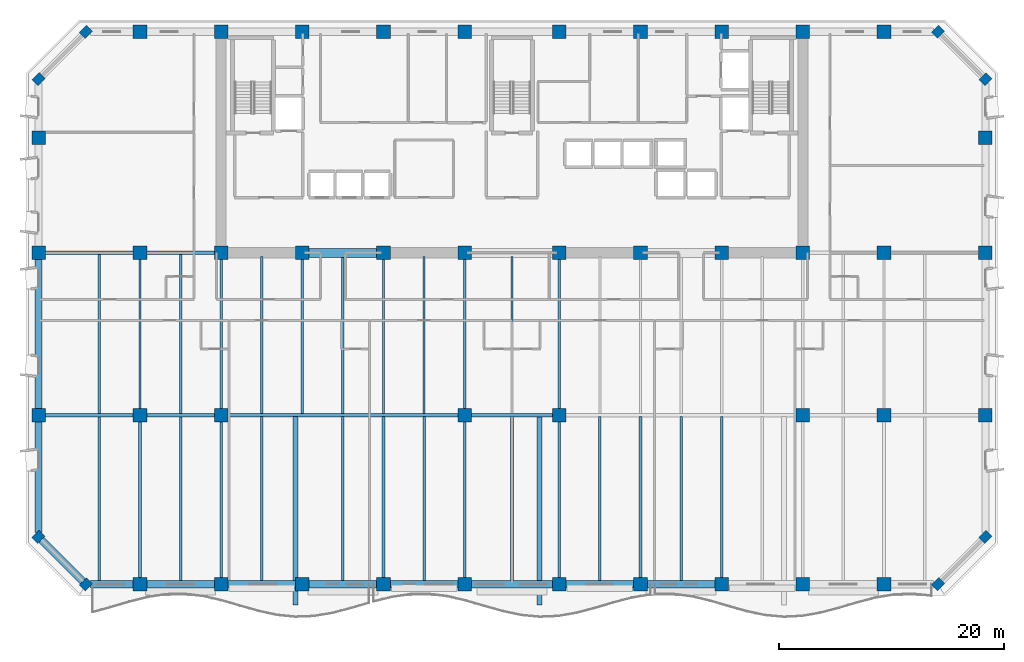
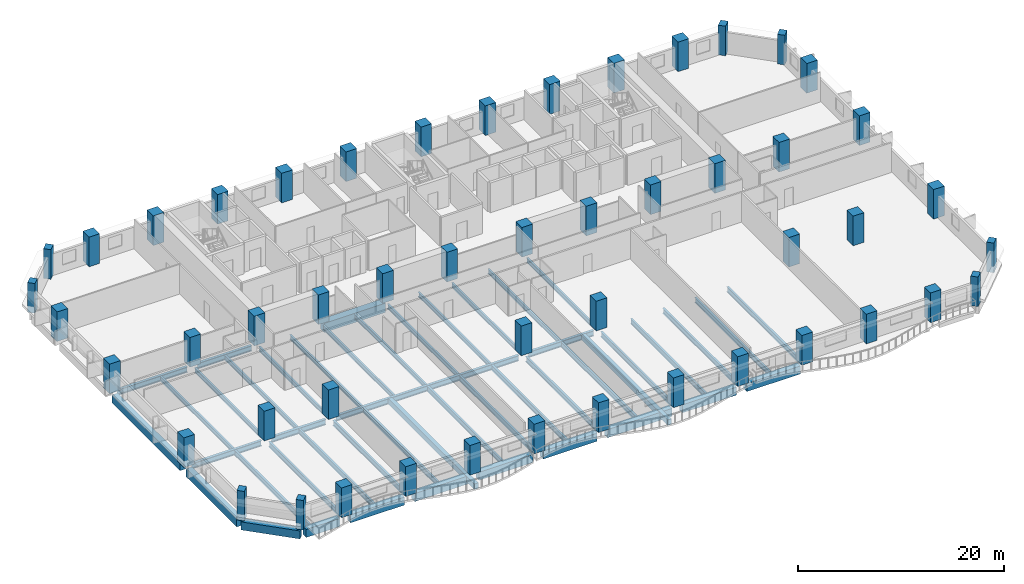
# One storey, part 1 of 15: 50 columns, 47 beams.
"""IFC4 building model written with IfcOpenShell, lengths in metres."""

from ifc_helpers import new_model, si_unit, direction, frame, origin, origin_2d, place, context, subcontext, project, spatial, rectangle, i_section, extrude, material, material_profile, profile_set, type_object, element, save


model = new_model("IFC4")

# Units and contexts
model_context = context("Model", 3, precision=1e-05, world=origin(), true_north=direction((0.0, 1.0)))
body_context = subcontext(model_context, "Body", "Model", "MODEL_VIEW")
ifc_project = project(units=[si_unit("LENGTHUNIT", "METRE"), si_unit("AREAUNIT", "SQUARE_METRE"), si_unit("VOLUMEUNIT", "CUBIC_METRE"), si_unit("PLANEANGLEUNIT", "RADIAN"), si_unit("MASSUNIT", "GRAM", prefix="KILO")], contexts=[model_context])

# Site, building, storey
site_placement = place(None, origin())
site = spatial("IfcSite", under=ifc_project, at=site_placement, CompositionType="ELEMENT")
building_placement = place(site_placement, origin())
building = spatial("IfcBuilding", under=site, at=building_placement, Name="Kaelvorn Grand Hotel", CompositionType="ELEMENT")
storey_placement = place(building_placement, frame((0.0, 0.0, 108.050048828125)))
storey = spatial("IfcBuildingStorey", under=building, at=storey_placement, Name="L25", CompositionType="ELEMENT", Elevation=108.050048828125)

# Columns
ifc_material_1 = material(Name="Concrete C60/75", Category="concrete")
ifc_material_profile_1 = material_profile(ifc_material_1, rectangle(XDim=0.89990234375, YDim=0.75, at=origin_2d()), Name="RC PILASTER 900x750")
ifc_profile_set_1 = profile_set([ifc_material_profile_1], Name="Concrete C60/75")
column_type_1 = type_object("IfcColumnType", Name="COL-PIL-900x750-C60", PredefinedType="PILASTER", material=ifc_profile_set_1)
for number, where, z_axis, x_axis, name in (
    (1, (4.199951171875, 0.0, 0.0), (0.0, 0.0, 1.0), (0.707106781187, 0.707106781187, 0.0), "L25 Structural Column CH-01"),
    (2, (79.800048828125, 0.0, 0.0), (0.0, 0.0, 1.0), (0.707106781187, 0.707106781187, 0.0), "L25 Structural Column CH-02"),
    (3, (84.0, 4.199951171875, 0.0), (0.0, 0.0, 1.0), (0.707106781187, 0.707106781187, 0.0), "L25 Structural Column CH-03"),
    (4, (84.0, 44.800048828125, 0.0), (0.0, 0.0, 1.0), (0.707106781187, 0.707106781187, 0.0), "L25 Structural Column CH-04"),
    (5, (79.800048828125, 49.0, 0.0), (0.0, 0.0, 1.0), (0.707106781187, 0.707106781187, 0.0), "L25 Structural Column CH-05"),
    (6, (4.199951171875, 49.0, 0.0), (0.0, 0.0, 1.0), (0.707106781187, 0.707106781187, 0.0), "L25 Structural Column CH-06"),
    (7, (0.0, 44.800048828125, 0.0), (0.0, 0.0, 1.0), (0.707106781187, 0.707106781187, 0.0), "L25 Structural Column CH-07"),
    (8, (0.0, 4.199951171875, 0.0), (0.0, 0.0, 1.0), (0.707106781187, 0.707106781187, 0.0), "L25 Structural Column CH-08"),
):
    element("IfcColumn", number, at=place(storey_placement, frame(where, z_axis=z_axis, x_axis=x_axis)), inside=storey, type_object=column_type_1, Name=name, PredefinedType="PILASTER", context=body_context, shape_type="SweptSolid", body=[
        extrude(rectangle(XDim=0.89990234375, YDim=0.75, at=origin_2d()), origin(), (0.0, 0.0, 1.0), 3.510009765625),
    ])
ifc_material_profile_2 = material_profile(ifc_material_1, rectangle(XDim=1.199951171875, YDim=1.199951171875, at=origin_2d()), Name="RC COL 1200x1200")
ifc_profile_set_2 = profile_set([ifc_material_profile_2], Name="Concrete C60/75")
column_type_2 = type_object("IfcColumnType", Name="COL-RC-1200-C60", PredefinedType="COLUMN", material=ifc_profile_set_2)
for number, where, z_axis, x_axis, name in (
    (9, (9.0, 0.0, 0.0), (0.0, 0.0, 1.0), (1.0, 0.0, 0.0), "L25 Structural Column S-01"),
    (10, (16.199951171875, 0.0, 0.0), (0.0, 0.0, 1.0), (1.0, 0.0, 0.0), "L25 Structural Column S-02"),
    (11, (23.39990234375, 0.0, 0.0), (0.0, 0.0, 1.0), (1.0, 0.0, 0.0), "L25 Structural Column S-03"),
    (12, (30.60009765625, 0.0, 0.0), (0.0, 0.0, 1.0), (1.0, 0.0, 0.0), "L25 Structural Column S-04"),
    (13, (37.800048828125, 0.0, 0.0), (0.0, 0.0, 1.0), (1.0, 0.0, 0.0), "L25 Structural Column S-05"),
    (14, (46.199951171875, 0.0, 0.0), (0.0, 0.0, 1.0), (1.0, 0.0, 0.0), "L25 Structural Column S-06"),
    (15, (53.39990234375, 0.0, 0.0), (0.0, 0.0, 1.0), (1.0, 0.0, 0.0), "L25 Structural Column S-07"),
    (16, (60.60009765625, 0.0, 0.0), (0.0, 0.0, 1.0), (1.0, 0.0, 0.0), "L25 Structural Column S-08"),
    (17, (67.800048828125, 0.0, 0.0), (0.0, 0.0, 1.0), (1.0, 0.0, 0.0), "L25 Structural Column S-09"),
    (18, (75.0, 0.0, 0.0), (0.0, 0.0, 1.0), (1.0, 0.0, 0.0), "L25 Structural Column S-10"),
    (19, (0.0, 15.0, 0.0), (0.0, 0.0, 1.0), (1.0, 0.0, 0.0), "L25 Structural Column W-01"),
    (20, (84.0, 15.0, 0.0), (0.0, 0.0, 1.0), (1.0, 0.0, 0.0), "L25 Structural Column E-01"),
    (21, (0.0, 29.39990234375, 0.0), (0.0, 0.0, 1.0), (1.0, 0.0, 0.0), "L25 Structural Column W-02"),
    (22, (84.0, 29.39990234375, 0.0), (0.0, 0.0, 1.0), (1.0, 0.0, 0.0), "L25 Structural Column E-02"),
    (23, (0.0, 39.60009765625, 0.0), (0.0, 0.0, 1.0), (1.0, 0.0, 0.0), "L25 Structural Column W-03"),
    (24, (84.0, 39.60009765625, 0.0), (0.0, 0.0, 1.0), (1.0, 0.0, 0.0), "L25 Structural Column E-03"),
    (25, (9.0, 15.0, 0.0), (0.0, 0.0, 1.0), (1.0, 0.0, 0.0), "L25 Structural Column M-01"),
    (26, (16.199951171875, 15.0, 0.0), (0.0, 0.0, 1.0), (1.0, 0.0, 0.0), "L25 Structural Column M-02"),
    (27, (37.800048828125, 15.0, 0.0), (0.0, 0.0, 1.0), (1.0, 0.0, 0.0), "L25 Structural Column M-03"),
    (28, (46.199951171875, 15.0, 0.0), (0.0, 0.0, 1.0), (1.0, 0.0, 0.0), "L25 Structural Column M-04"),
    (29, (67.800048828125, 15.0, 0.0), (0.0, 0.0, 1.0), (1.0, 0.0, 0.0), "L25 Structural Column M-05"),
    (30, (75.0, 15.0, 0.0), (0.0, 0.0, 1.0), (1.0, 0.0, 0.0), "L25 Structural Column M-06"),
    (31, (9.0, 29.39990234375, 0.0), (0.0, 0.0, 1.0), (1.0, 0.0, 0.0), "L25 Structural Column CR1-01"),
    (32, (9.0, 49.0, 0.0), (0.0, 0.0, 1.0), (1.0, 0.0, 0.0), "L25 Structural Column CR2-01"),
    (33, (16.199951171875, 29.39990234375, 0.0), (0.0, 0.0, 1.0), (1.0, 0.0, 0.0), "L25 Structural Column CR1-02"),
    (34, (16.199951171875, 49.0, 0.0), (0.0, 0.0, 1.0), (1.0, 0.0, 0.0), "L25 Structural Column CR2-02"),
    (35, (23.39990234375, 29.39990234375, 0.0), (0.0, 0.0, 1.0), (1.0, 0.0, 0.0), "L25 Structural Column CR1-03"),
    (36, (23.39990234375, 49.0, 0.0), (0.0, 0.0, 1.0), (1.0, 0.0, 0.0), "L25 Structural Column CR2-03"),
    (37, (30.60009765625, 29.39990234375, 0.0), (0.0, 0.0, 1.0), (1.0, 0.0, 0.0), "L25 Structural Column CR1-04"),
    (38, (30.60009765625, 49.0, 0.0), (0.0, 0.0, 1.0), (1.0, 0.0, 0.0), "L25 Structural Column CR2-04"),
    (39, (37.800048828125, 29.39990234375, 0.0), (0.0, 0.0, 1.0), (1.0, 0.0, 0.0), "L25 Structural Column CR1-05"),
    (40, (37.800048828125, 49.0, 0.0), (0.0, 0.0, 1.0), (1.0, 0.0, 0.0), "L25 Structural Column CR2-05"),
    (41, (46.199951171875, 29.39990234375, 0.0), (0.0, 0.0, 1.0), (1.0, 0.0, 0.0), "L25 Structural Column CR1-06"),
    (42, (46.199951171875, 49.0, 0.0), (0.0, 0.0, 1.0), (1.0, 0.0, 0.0), "L25 Structural Column CR2-06"),
    (43, (53.39990234375, 29.39990234375, 0.0), (0.0, 0.0, 1.0), (1.0, 0.0, 0.0), "L25 Structural Column CR1-07"),
    (44, (53.39990234375, 49.0, 0.0), (0.0, 0.0, 1.0), (1.0, 0.0, 0.0), "L25 Structural Column CR2-07"),
    (45, (60.60009765625, 29.39990234375, 0.0), (0.0, 0.0, 1.0), (1.0, 0.0, 0.0), "L25 Structural Column CR1-08"),
    (46, (60.60009765625, 49.0, 0.0), (0.0, 0.0, 1.0), (1.0, 0.0, 0.0), "L25 Structural Column CR2-08"),
    (47, (67.800048828125, 29.39990234375, 0.0), (0.0, 0.0, 1.0), (1.0, 0.0, 0.0), "L25 Structural Column CR1-09"),
    (48, (67.800048828125, 49.0, 0.0), (0.0, 0.0, 1.0), (1.0, 0.0, 0.0), "L25 Structural Column CR2-09"),
    (49, (75.0, 29.39990234375, 0.0), (0.0, 0.0, 1.0), (1.0, 0.0, 0.0), "L25 Structural Column CR1-10"),
    (50, (75.0, 49.0, 0.0), (0.0, 0.0, 1.0), (1.0, 0.0, 0.0), "L25 Structural Column CR2-10"),
):
    element("IfcColumn", number, at=place(storey_placement, frame(where, z_axis=z_axis, x_axis=x_axis)), inside=storey, type_object=column_type_2, Name=name, PredefinedType="COLUMN", context=body_context, shape_type="SweptSolid", body=[
        extrude(rectangle(XDim=1.199951171875, YDim=1.199951171875, at=origin_2d()), origin(), (0.0, 0.0, 1.0), 3.510009765625),
    ])

# Beams
ifc_material_2 = material(Name="Steel S355", Category="steel")
ifc_material_profile_3 = material_profile(ifc_material_2, i_section(OverallWidth=0.300048828125, OverallDepth=0.64990234375, WebThickness=0.01611328125, FlangeThickness=0.031005859375, FilletRadius=0.027099609375, at=origin_2d()), Name="HEB 650")
ifc_profile_set_3 = profile_set([ifc_material_profile_3], Name="Steel S355")
beam_type_1 = type_object("IfcBeamType", Name="BM-G-HEB650-S355", PredefinedType="BEAM", material=ifc_profile_set_3)
beam_1_placement = place(storey_placement, frame((0.5849609375, 15.0, -0.56494140625), z_axis=(1.0, 0.0, 0.0), x_axis=(0.0, 1.0, 0.0)))
element("IfcBeam", 51, at=beam_1_placement, inside=storey, type_object=beam_type_1, Name="L25 Primary Spine Steel Girder G-15 01", PredefinedType="BEAM", context=body_context, shape_type="SweptSolid", body=[
    extrude(i_section(OverallWidth=0.300048828125, OverallDepth=0.64990234375, WebThickness=0.01611328125, FlangeThickness=0.031005859375, FilletRadius=0.027099609375, at=origin_2d()), origin(), (0.0, 0.0, 1.0), 7.830078125),
])
beam_2_placement = place(storey_placement, frame((9.5849609375, 15.0, -0.56494140625), z_axis=(1.0, 0.0, 0.0), x_axis=(0.0, 1.0, 0.0)))
element("IfcBeam", 52, at=beam_2_placement, inside=storey, type_object=beam_type_1, Name="L25 Primary Spine Steel Girder G-15 02", PredefinedType="BEAM", context=body_context, shape_type="SweptSolid", body=[
    extrude(i_section(OverallWidth=0.300048828125, OverallDepth=0.64990234375, WebThickness=0.01611328125, FlangeThickness=0.031005859375, FilletRadius=0.027099609375, at=origin_2d()), origin(), (0.0, 0.0, 1.0), 6.030029296875),
])
beam_3_placement = place(storey_placement, frame((16.784912109375, 15.0, -0.56494140625), z_axis=(1.0, 0.0, 0.0), x_axis=(0.0, 1.0, 0.0)))
element("IfcBeam", 53, at=beam_3_placement, inside=storey, type_object=beam_type_1, Name="L25 Primary Spine Steel Girder G-15 03", PredefinedType="BEAM", context=body_context, shape_type="SweptSolid", body=[
    extrude(i_section(OverallWidth=0.300048828125, OverallDepth=0.64990234375, WebThickness=0.01611328125, FlangeThickness=0.031005859375, FilletRadius=0.027099609375, at=origin_2d()), origin(), (0.0, 0.0, 1.0), 20.43017578125),
])
beam_4_placement = place(storey_placement, frame((38.385009765625, 15.0, -0.56494140625), z_axis=(1.0, 0.0, 0.0), x_axis=(0.0, 1.0, 0.0)))
element("IfcBeam", 54, at=beam_4_placement, inside=storey, type_object=beam_type_1, Name="L25 Primary Spine Steel Girder G-15 04", PredefinedType="BEAM", context=body_context, shape_type="SweptSolid", body=[
    extrude(i_section(OverallWidth=0.300048828125, OverallDepth=0.64990234375, WebThickness=0.01611328125, FlangeThickness=0.031005859375, FilletRadius=0.027099609375, at=origin_2d()), origin(), (0.0, 0.0, 1.0), 7.22998046875),
])
beam_5_placement = place(storey_placement, frame((0.5849609375, 29.39990234375, -0.56494140625), z_axis=(1.0, 0.0, 0.0), x_axis=(0.0, 1.0, 0.0)))
element("IfcBeam", 55, at=beam_5_placement, inside=storey, type_object=beam_type_1, Name="L25 West Core Wing Steel Girder G-29W 01", PredefinedType="BEAM", context=body_context, shape_type="SweptSolid", body=[
    extrude(i_section(OverallWidth=0.300048828125, OverallDepth=0.64990234375, WebThickness=0.01611328125, FlangeThickness=0.031005859375, FilletRadius=0.027099609375, at=origin_2d()), origin(), (0.0, 0.0, 1.0), 7.830078125),
])
beam_6_placement = place(storey_placement, frame((9.5849609375, 29.39990234375, -0.56494140625), z_axis=(1.0, 0.0, 0.0), x_axis=(0.0, 1.0, 0.0)))
element("IfcBeam", 56, at=beam_6_placement, inside=storey, type_object=beam_type_1, Name="L25 West Core Wing Steel Girder G-29W 02", PredefinedType="BEAM", context=body_context, shape_type="SweptSolid", body=[
    extrude(i_section(OverallWidth=0.300048828125, OverallDepth=0.64990234375, WebThickness=0.01611328125, FlangeThickness=0.031005859375, FilletRadius=0.027099609375, at=origin_2d()), origin(), (0.0, 0.0, 1.0), 6.030029296875),
])
ifc_material_profile_4 = material_profile(ifc_material_2, i_section(OverallWidth=0.209228515625, OverallDepth=0.533203125, WebThickness=0.010009765625, FlangeThickness=0.015625, FilletRadius=0.0126953125, at=origin_2d()), Name="UB 533x210x92")
ifc_profile_set_4 = profile_set([ifc_material_profile_4], Name="Steel S355")
beam_type_2 = type_object("IfcBeamType", Name="BM-J-UB533-S355", PredefinedType="JOIST", material=ifc_profile_set_4)
beam_7_placement = place(storey_placement, frame((5.39990234375, 15.135009765625, -0.506591796875), z_axis=(0.0, 1.0, 0.0), x_axis=(-1.0, 0.0, 0.0)))
element("IfcBeam", 57, at=beam_7_placement, inside=storey, type_object=beam_type_2, Name="L25 Composite Floor Joist JM-02", PredefinedType="JOIST", context=body_context, shape_type="SweptSolid", body=[
    extrude(i_section(OverallWidth=0.209228515625, OverallDepth=0.533203125, WebThickness=0.010009765625, FlangeThickness=0.015625, FilletRadius=0.0126953125, at=origin_2d()), origin(), (0.0, 0.0, 1.0), 14.1298828125),
])
beam_8_placement = place(storey_placement, frame((9.0, 15.5849609375, -0.506591796875), z_axis=(0.0, 1.0, 0.0), x_axis=(-1.0, 0.0, 0.0)))
element("IfcBeam", 58, at=beam_8_placement, inside=storey, type_object=beam_type_2, Name="L25 Composite Floor Joist JM-03", PredefinedType="JOIST", context=body_context, shape_type="SweptSolid", body=[
    extrude(i_section(OverallWidth=0.209228515625, OverallDepth=0.533203125, WebThickness=0.010009765625, FlangeThickness=0.015625, FilletRadius=0.0126953125, at=origin_2d()), origin(), (0.0, 0.0, 1.0), 13.22998046875),
])
beam_9_placement = place(storey_placement, frame((12.60009765625, 15.135009765625, -0.506591796875), z_axis=(0.0, 1.0, 0.0), x_axis=(-1.0, 0.0, 0.0)))
element("IfcBeam", 59, at=beam_9_placement, inside=storey, type_object=beam_type_2, Name="L25 Composite Floor Joist JM-04", PredefinedType="JOIST", context=body_context, shape_type="SweptSolid", body=[
    extrude(i_section(OverallWidth=0.209228515625, OverallDepth=0.533203125, WebThickness=0.010009765625, FlangeThickness=0.015625, FilletRadius=0.0126953125, at=origin_2d()), origin(), (0.0, 0.0, 1.0), 14.1298828125),
])
beam_10_placement = place(storey_placement, frame((16.199951171875, 15.5849609375, -0.506591796875), z_axis=(0.0, 1.0, 0.0), x_axis=(-1.0, 0.0, 0.0)))
element("IfcBeam", 60, at=beam_10_placement, inside=storey, type_object=beam_type_2, Name="L25 Composite Floor Joist JM-05", PredefinedType="JOIST", context=body_context, shape_type="SweptSolid", body=[
    extrude(i_section(OverallWidth=0.209228515625, OverallDepth=0.533203125, WebThickness=0.010009765625, FlangeThickness=0.015625, FilletRadius=0.0126953125, at=origin_2d()), origin(), (0.0, 0.0, 1.0), 13.22998046875),
])
beam_11_placement = place(storey_placement, frame((19.800048828125, 15.135009765625, -0.506591796875), z_axis=(0.0, 1.0, 0.0), x_axis=(-1.0, 0.0, 0.0)))
element("IfcBeam", 61, at=beam_11_placement, inside=storey, type_object=beam_type_2, Name="L25 Composite Floor Joist JM-06", PredefinedType="JOIST", context=body_context, shape_type="SweptSolid", body=[
    extrude(i_section(OverallWidth=0.209228515625, OverallDepth=0.533203125, WebThickness=0.010009765625, FlangeThickness=0.015625, FilletRadius=0.0126953125, at=origin_2d()), origin(), (0.0, 0.0, 1.0), 13.925048828125),
])
beam_12_placement = place(storey_placement, frame((23.39990234375, 15.135009765625, -0.506591796875), z_axis=(0.0, 1.0, 0.0), x_axis=(-1.0, 0.0, 0.0)))
element("IfcBeam", 62, at=beam_12_placement, inside=storey, type_object=beam_type_2, Name="L25 Composite Floor Joist JM-07", PredefinedType="JOIST", context=body_context, shape_type="SweptSolid", body=[
    extrude(i_section(OverallWidth=0.209228515625, OverallDepth=0.533203125, WebThickness=0.010009765625, FlangeThickness=0.015625, FilletRadius=0.0126953125, at=origin_2d()), origin(), (0.0, 0.0, 1.0), 13.679931640625),
])
beam_13_placement = place(storey_placement, frame((27.0, 15.135009765625, -0.506591796875), z_axis=(0.0, 1.0, 0.0), x_axis=(-1.0, 0.0, 0.0)))
element("IfcBeam", 63, at=beam_13_placement, inside=storey, type_object=beam_type_2, Name="L25 Composite Floor Joist JM-08", PredefinedType="JOIST", context=body_context, shape_type="SweptSolid", body=[
    extrude(i_section(OverallWidth=0.209228515625, OverallDepth=0.533203125, WebThickness=0.010009765625, FlangeThickness=0.015625, FilletRadius=0.0126953125, at=origin_2d()), origin(), (0.0, 0.0, 1.0), 13.925048828125),
])
beam_14_placement = place(storey_placement, frame((30.60009765625, 15.135009765625, -0.506591796875), z_axis=(0.0, 1.0, 0.0), x_axis=(-1.0, 0.0, 0.0)))
element("IfcBeam", 64, at=beam_14_placement, inside=storey, type_object=beam_type_2, Name="L25 Composite Floor Joist JM-09", PredefinedType="JOIST", context=body_context, shape_type="SweptSolid", body=[
    extrude(i_section(OverallWidth=0.209228515625, OverallDepth=0.533203125, WebThickness=0.010009765625, FlangeThickness=0.015625, FilletRadius=0.0126953125, at=origin_2d()), origin(), (0.0, 0.0, 1.0), 13.679931640625),
])
beam_15_placement = place(storey_placement, frame((34.199951171875, 15.135009765625, -0.506591796875), z_axis=(0.0, 1.0, 0.0), x_axis=(-1.0, 0.0, 0.0)))
element("IfcBeam", 65, at=beam_15_placement, inside=storey, type_object=beam_type_2, Name="L25 Composite Floor Joist JM-10", PredefinedType="JOIST", context=body_context, shape_type="SweptSolid", body=[
    extrude(i_section(OverallWidth=0.209228515625, OverallDepth=0.533203125, WebThickness=0.010009765625, FlangeThickness=0.015625, FilletRadius=0.0126953125, at=origin_2d()), origin(), (0.0, 0.0, 1.0), 13.925048828125),
])
beam_16_placement = place(storey_placement, frame((37.800048828125, 15.5849609375, -0.506591796875), z_axis=(0.0, 1.0, 0.0), x_axis=(-1.0, 0.0, 0.0)))
element("IfcBeam", 66, at=beam_16_placement, inside=storey, type_object=beam_type_2, Name="L25 Composite Floor Joist JM-11", PredefinedType="JOIST", context=body_context, shape_type="SweptSolid", body=[
    extrude(i_section(OverallWidth=0.209228515625, OverallDepth=0.533203125, WebThickness=0.010009765625, FlangeThickness=0.015625, FilletRadius=0.0126953125, at=origin_2d()), origin(), (0.0, 0.0, 1.0), 13.22998046875),
])
beam_17_placement = place(storey_placement, frame((42.0, 15.135009765625, -0.506591796875), z_axis=(0.0, 1.0, 0.0), x_axis=(-1.0, 0.0, 0.0)))
element("IfcBeam", 67, at=beam_17_placement, inside=storey, type_object=beam_type_2, Name="L25 Composite Floor Joist JM-12", PredefinedType="JOIST", context=body_context, shape_type="SweptSolid", body=[
    extrude(i_section(OverallWidth=0.209228515625, OverallDepth=0.533203125, WebThickness=0.010009765625, FlangeThickness=0.015625, FilletRadius=0.0126953125, at=origin_2d()), origin(), (0.0, 0.0, 1.0), 13.925048828125),
])
beam_18_placement = place(storey_placement, frame((46.199951171875, 15.5849609375, -0.506591796875), z_axis=(0.0, 1.0, 0.0), x_axis=(-1.0, 0.0, 0.0)))
element("IfcBeam", 68, at=beam_18_placement, inside=storey, type_object=beam_type_2, Name="L25 Composite Floor Joist JM-13", PredefinedType="JOIST", context=body_context, shape_type="SweptSolid", body=[
    extrude(i_section(OverallWidth=0.209228515625, OverallDepth=0.533203125, WebThickness=0.010009765625, FlangeThickness=0.015625, FilletRadius=0.0126953125, at=origin_2d()), origin(), (0.0, 0.0, 1.0), 13.22998046875),
])
ifc_material_profile_5 = material_profile(ifc_material_2, i_section(OverallWidth=0.22900390625, OverallDepth=0.6123046875, WebThickness=0.011962890625, FlangeThickness=0.01953125, FilletRadius=0.0126953125, at=origin_2d()), Name="UB 610x229x125")
ifc_profile_set_5 = profile_set([ifc_material_profile_5], Name="Steel S355")
beam_type_3 = type_object("IfcBeamType", Name="BM-J-UB610-S355", PredefinedType="JOIST", material=ifc_profile_set_5)
beam_19_placement = place(storey_placement, frame((5.39990234375, 0.31005859375, -0.546142578125), z_axis=(0.0, 1.0, 0.0), x_axis=(-1.0, 0.0, 0.0)))
element("IfcBeam", 69, at=beam_19_placement, inside=storey, type_object=beam_type_3, Name="L25 Composite Floor Joist JS-02", PredefinedType="JOIST", context=body_context, shape_type="SweptSolid", body=[
    extrude(i_section(OverallWidth=0.22900390625, OverallDepth=0.6123046875, WebThickness=0.011962890625, FlangeThickness=0.01953125, FilletRadius=0.0126953125, at=origin_2d()), origin(), (0.0, 0.0, 1.0), 14.554931640625),
])
beam_20_placement = place(storey_placement, frame((9.0, 0.5849609375, -0.546142578125), z_axis=(0.0, 1.0, 0.0), x_axis=(-1.0, 0.0, 0.0)))
element("IfcBeam", 70, at=beam_20_placement, inside=storey, type_object=beam_type_3, Name="L25 Composite Floor Joist JS-03", PredefinedType="JOIST", context=body_context, shape_type="SweptSolid", body=[
    extrude(i_section(OverallWidth=0.22900390625, OverallDepth=0.6123046875, WebThickness=0.011962890625, FlangeThickness=0.01953125, FilletRadius=0.0126953125, at=origin_2d()), origin(), (0.0, 0.0, 1.0), 13.830078125),
])
beam_21_placement = place(storey_placement, frame((12.60009765625, 0.31005859375, -0.546142578125), z_axis=(0.0, 1.0, 0.0), x_axis=(-1.0, 0.0, 0.0)))
element("IfcBeam", 71, at=beam_21_placement, inside=storey, type_object=beam_type_3, Name="L25 Composite Floor Joist JS-04", PredefinedType="JOIST", context=body_context, shape_type="SweptSolid", body=[
    extrude(i_section(OverallWidth=0.22900390625, OverallDepth=0.6123046875, WebThickness=0.011962890625, FlangeThickness=0.01953125, FilletRadius=0.0126953125, at=origin_2d()), origin(), (0.0, 0.0, 1.0), 14.554931640625),
])
beam_22_placement = place(storey_placement, frame((16.199951171875, 0.5849609375, -0.546142578125), z_axis=(0.0, 1.0, 0.0), x_axis=(-1.0, 0.0, 0.0)))
element("IfcBeam", 72, at=beam_22_placement, inside=storey, type_object=beam_type_3, Name="L25 Composite Floor Joist JS-05", PredefinedType="JOIST", context=body_context, shape_type="SweptSolid", body=[
    extrude(i_section(OverallWidth=0.22900390625, OverallDepth=0.6123046875, WebThickness=0.011962890625, FlangeThickness=0.01953125, FilletRadius=0.0126953125, at=origin_2d()), origin(), (0.0, 0.0, 1.0), 13.830078125),
])
for number, where, z_axis, x_axis, name in (
    (73, (19.800048828125, 0.31005859375, -0.546142578125), (0.0, 1.0, 0.0), (-1.0, 0.0, 0.0), "L25 Composite Floor Joist JS-06"),
    (74, (27.0, 0.31005859375, -0.546142578125), (0.0, 1.0, 0.0), (-1.0, 0.0, 0.0), "L25 Composite Floor Joist JS-08"),
):
    element("IfcBeam", number, at=place(storey_placement, frame(where, z_axis=z_axis, x_axis=x_axis)), inside=storey, type_object=beam_type_3, Name=name, PredefinedType="JOIST", context=body_context, shape_type="SweptSolid", body=[
        extrude(i_section(OverallWidth=0.22900390625, OverallDepth=0.6123046875, WebThickness=0.011962890625, FlangeThickness=0.01953125, FilletRadius=0.0126953125, at=origin_2d()), origin(), (0.0, 0.0, 1.0), 14.554931640625),
    ])
beam_23_placement = place(storey_placement, frame((30.60009765625, 0.5849609375, -0.546142578125), z_axis=(0.0, 1.0, 0.0), x_axis=(-1.0, 0.0, 0.0)))
element("IfcBeam", 75, at=beam_23_placement, inside=storey, type_object=beam_type_3, Name="L25 Composite Floor Joist JS-09", PredefinedType="JOIST", context=body_context, shape_type="SweptSolid", body=[
    extrude(i_section(OverallWidth=0.22900390625, OverallDepth=0.6123046875, WebThickness=0.011962890625, FlangeThickness=0.01953125, FilletRadius=0.0126953125, at=origin_2d()), origin(), (0.0, 0.0, 1.0), 14.280029296875),
])
beam_24_placement = place(storey_placement, frame((34.199951171875, 0.31005859375, -0.546142578125), z_axis=(0.0, 1.0, 0.0), x_axis=(-1.0, 0.0, 0.0)))
element("IfcBeam", 76, at=beam_24_placement, inside=storey, type_object=beam_type_3, Name="L25 Composite Floor Joist JS-10", PredefinedType="JOIST", context=body_context, shape_type="SweptSolid", body=[
    extrude(i_section(OverallWidth=0.22900390625, OverallDepth=0.6123046875, WebThickness=0.011962890625, FlangeThickness=0.01953125, FilletRadius=0.0126953125, at=origin_2d()), origin(), (0.0, 0.0, 1.0), 14.554931640625),
])
beam_25_placement = place(storey_placement, frame((37.800048828125, 0.5849609375, -0.546142578125), z_axis=(0.0, 1.0, 0.0), x_axis=(-1.0, 0.0, 0.0)))
element("IfcBeam", 77, at=beam_25_placement, inside=storey, type_object=beam_type_3, Name="L25 Composite Floor Joist JS-11", PredefinedType="JOIST", context=body_context, shape_type="SweptSolid", body=[
    extrude(i_section(OverallWidth=0.22900390625, OverallDepth=0.6123046875, WebThickness=0.011962890625, FlangeThickness=0.01953125, FilletRadius=0.0126953125, at=origin_2d()), origin(), (0.0, 0.0, 1.0), 13.830078125),
])
beam_26_placement = place(storey_placement, frame((42.0, 0.31005859375, -0.546142578125), z_axis=(0.0, 1.0, 0.0), x_axis=(-1.0, 0.0, 0.0)))
element("IfcBeam", 78, at=beam_26_placement, inside=storey, type_object=beam_type_3, Name="L25 Composite Floor Joist JS-12", PredefinedType="JOIST", context=body_context, shape_type="SweptSolid", body=[
    extrude(i_section(OverallWidth=0.22900390625, OverallDepth=0.6123046875, WebThickness=0.011962890625, FlangeThickness=0.01953125, FilletRadius=0.0126953125, at=origin_2d()), origin(), (0.0, 0.0, 1.0), 14.554931640625),
])
beam_27_placement = place(storey_placement, frame((46.199951171875, 0.5849609375, -0.546142578125), z_axis=(0.0, 1.0, 0.0), x_axis=(-1.0, 0.0, 0.0)))
element("IfcBeam", 79, at=beam_27_placement, inside=storey, type_object=beam_type_3, Name="L25 Composite Floor Joist JS-13", PredefinedType="JOIST", context=body_context, shape_type="SweptSolid", body=[
    extrude(i_section(OverallWidth=0.22900390625, OverallDepth=0.6123046875, WebThickness=0.011962890625, FlangeThickness=0.01953125, FilletRadius=0.0126953125, at=origin_2d()), origin(), (0.0, 0.0, 1.0), 13.830078125),
])
beam_28_placement = place(storey_placement, frame((49.800048828125, 0.31005859375, -0.546142578125), z_axis=(0.0, 1.0, 0.0), x_axis=(-1.0, 0.0, 0.0)))
element("IfcBeam", 80, at=beam_28_placement, inside=storey, type_object=beam_type_3, Name="L25 Composite Floor Joist JS-14", PredefinedType="JOIST", context=body_context, shape_type="SweptSolid", body=[
    extrude(i_section(OverallWidth=0.22900390625, OverallDepth=0.6123046875, WebThickness=0.011962890625, FlangeThickness=0.01953125, FilletRadius=0.0126953125, at=origin_2d()), origin(), (0.0, 0.0, 1.0), 14.554931640625),
])
beam_29_placement = place(storey_placement, frame((53.39990234375, 0.5849609375, -0.546142578125), z_axis=(0.0, 1.0, 0.0), x_axis=(-1.0, 0.0, 0.0)))
element("IfcBeam", 81, at=beam_29_placement, inside=storey, type_object=beam_type_3, Name="L25 Composite Floor Joist JS-15", PredefinedType="JOIST", context=body_context, shape_type="SweptSolid", body=[
    extrude(i_section(OverallWidth=0.22900390625, OverallDepth=0.6123046875, WebThickness=0.011962890625, FlangeThickness=0.01953125, FilletRadius=0.0126953125, at=origin_2d()), origin(), (0.0, 0.0, 1.0), 14.280029296875),
])
beam_30_placement = place(storey_placement, frame((57.0, 0.31005859375, -0.546142578125), z_axis=(0.0, 1.0, 0.0), x_axis=(-1.0, 0.0, 0.0)))
element("IfcBeam", 82, at=beam_30_placement, inside=storey, type_object=beam_type_3, Name="L25 Composite Floor Joist JS-16", PredefinedType="JOIST", context=body_context, shape_type="SweptSolid", body=[
    extrude(i_section(OverallWidth=0.22900390625, OverallDepth=0.6123046875, WebThickness=0.011962890625, FlangeThickness=0.01953125, FilletRadius=0.0126953125, at=origin_2d()), origin(), (0.0, 0.0, 1.0), 14.554931640625),
])
beam_31_placement = place(storey_placement, frame((60.60009765625, 0.5849609375, -0.546142578125), z_axis=(0.0, 1.0, 0.0), x_axis=(-1.0, 0.0, 0.0)))
element("IfcBeam", 83, at=beam_31_placement, inside=storey, type_object=beam_type_3, Name="L25 Composite Floor Joist JS-17", PredefinedType="JOIST", context=body_context, shape_type="SweptSolid", body=[
    extrude(i_section(OverallWidth=0.22900390625, OverallDepth=0.6123046875, WebThickness=0.011962890625, FlangeThickness=0.01953125, FilletRadius=0.0126953125, at=origin_2d()), origin(), (0.0, 0.0, 1.0), 14.280029296875),
])
ifc_material_profile_6 = material_profile(ifc_material_1, rectangle(XDim=0.800048828125, YDim=1.10009765625, at=origin_2d()), Name="RC LINTEL 800x1100")
ifc_profile_set_6 = profile_set([ifc_material_profile_6], Name="Concrete C60/75")
beam_type_4 = type_object("IfcBeamType", Name="BM-LIN-800x1100-C60", PredefinedType="LINTEL", material=ifc_profile_set_6)
beam_32_placement = place(storey_placement, frame((23.580078125, 29.39990234375, -0.7900390625), z_axis=(1.0, 0.0, 0.0), x_axis=(0.0, 1.0, 0.0)))
element("IfcBeam", 84, at=beam_32_placement, inside=storey, type_object=beam_type_4, Name="L25 Rear-Core Coupling Lintel Beam CB1-01", PredefinedType="LINTEL", context=body_context, shape_type="SweptSolid", body=[
    extrude(rectangle(XDim=0.800048828125, YDim=1.10009765625, at=origin_2d()), origin(), (0.0, 0.0, 1.0), 6.83984375),
])
ifc_material_3 = material(Name="Concrete C40/50", Category="concrete")
ifc_material_profile_7 = material_profile(ifc_material_3, rectangle(XDim=0.449951171875, YDim=0.64990234375, at=origin_2d()), Name="RC RIB 450x650")
ifc_profile_set_7 = profile_set([ifc_material_profile_7], Name="Concrete C40/50")
beam_type_5 = type_object("IfcBeamType", Name="BM-RIB-450x650-C40", PredefinedType="SPANDREL", material=ifc_profile_set_7)
for number, where, z_axis, x_axis, name in (
    (85, (22.791015625, -1.85009765625, -0.545166015625), (0.0, 1.0, 0.0), (-1.0, 0.0, 0.0), "L25 Cantilevered Balcony Back-Span Rib RB1-1"),
    (86, (44.453369140625, -1.85009765625, -0.545166015625), (0.0, 1.0, 0.0), (-1.0, 0.0, 0.0), "L25 Cantilevered Balcony Back-Span Rib RB1-2"),
):
    element("IfcBeam", number, at=place(storey_placement, frame(where, z_axis=z_axis, x_axis=x_axis)), inside=storey, type_object=beam_type_5, Name=name, PredefinedType="SPANDREL", context=body_context, shape_type="SweptSolid", body=[
        extrude(rectangle(XDim=0.449951171875, YDim=0.64990234375, at=origin_2d()), origin(), (0.0, 0.0, 1.0), 16.715087890625),
    ])
ifc_material_profile_8 = material_profile(ifc_material_1, rectangle(XDim=0.64990234375, YDim=0.949951171875, at=origin_2d()), Name="RC SPANDREL 650x950")
ifc_profile_set_8 = profile_set([ifc_material_profile_8], Name="Concrete C60/75")
beam_type_6 = type_object("IfcBeamType", Name="BM-SP-650x950-C60", PredefinedType="SPANDREL", material=ifc_profile_set_8)
beam_33_placement = place(storey_placement, frame((4.60498046875, 0.0, -0.715087890625), z_axis=(1.0, 0.0, 0.0), x_axis=(0.0, 1.0, 0.0)))
element("IfcBeam", 87, at=beam_33_placement, inside=storey, type_object=beam_type_6, Name="L25 South Perimeter Spandrel 01", PredefinedType="SPANDREL", context=body_context, shape_type="SweptSolid", body=[
    extrude(rectangle(XDim=0.64990234375, YDim=0.949951171875, at=origin_2d()), origin(), (0.0, 0.0, 1.0), 3.81005859375),
])
for number, where, z_axis, x_axis, name in (
    (88, (9.5849609375, 0.0, -0.715087890625), (1.0, 0.0, 0.0), (0.0, 1.0, 0.0), "L25 South Perimeter Spandrel 02"),
    (89, (16.784912109375, 0.0, -0.715087890625), (1.0, 0.0, 0.0), (0.0, 1.0, 0.0), "L25 South Perimeter Spandrel 03"),
):
    element("IfcBeam", number, at=place(storey_placement, frame(where, z_axis=z_axis, x_axis=x_axis)), inside=storey, type_object=beam_type_6, Name=name, PredefinedType="SPANDREL", context=body_context, shape_type="SweptSolid", body=[
        extrude(rectangle(XDim=0.64990234375, YDim=0.949951171875, at=origin_2d()), origin(), (0.0, 0.0, 1.0), 6.030029296875),
    ])
beam_34_placement = place(storey_placement, frame((23.985107421875, 0.0, -0.715087890625), z_axis=(1.0, 0.0, 0.0), x_axis=(0.0, 1.0, 0.0)))
element("IfcBeam", 90, at=beam_34_placement, inside=storey, type_object=beam_type_6, Name="L25 South Perimeter Spandrel 04", PredefinedType="SPANDREL", context=body_context, shape_type="SweptSolid", body=[
    extrude(rectangle(XDim=0.64990234375, YDim=0.949951171875, at=origin_2d()), origin(), (0.0, 0.0, 1.0), 6.02978515625),
])
beam_35_placement = place(storey_placement, frame((31.18505859375, 0.0, -0.715087890625), z_axis=(1.0, 0.0, 0.0), x_axis=(0.0, 1.0, 0.0)))
element("IfcBeam", 91, at=beam_35_placement, inside=storey, type_object=beam_type_6, Name="L25 South Perimeter Spandrel 05", PredefinedType="SPANDREL", context=body_context, shape_type="SweptSolid", body=[
    extrude(rectangle(XDim=0.64990234375, YDim=0.949951171875, at=origin_2d()), origin(), (0.0, 0.0, 1.0), 6.030029296875),
])
beam_36_placement = place(storey_placement, frame((38.385009765625, 0.0, -0.715087890625), z_axis=(1.0, 0.0, 0.0), x_axis=(0.0, 1.0, 0.0)))
element("IfcBeam", 92, at=beam_36_placement, inside=storey, type_object=beam_type_6, Name="L25 South Perimeter Spandrel 06", PredefinedType="SPANDREL", context=body_context, shape_type="SweptSolid", body=[
    extrude(rectangle(XDim=0.64990234375, YDim=0.949951171875, at=origin_2d()), origin(), (0.0, 0.0, 1.0), 7.22998046875),
])
beam_37_placement = place(storey_placement, frame((46.784912109375, 0.0, -0.715087890625), z_axis=(1.0, 0.0, 0.0), x_axis=(0.0, 1.0, 0.0)))
element("IfcBeam", 93, at=beam_37_placement, inside=storey, type_object=beam_type_6, Name="L25 South Perimeter Spandrel 07", PredefinedType="SPANDREL", context=body_context, shape_type="SweptSolid", body=[
    extrude(rectangle(XDim=0.64990234375, YDim=0.949951171875, at=origin_2d()), origin(), (0.0, 0.0, 1.0), 6.030029296875),
])
beam_38_placement = place(storey_placement, frame((53.985107421875, 0.0, -0.715087890625), z_axis=(1.0, 0.0, 0.0), x_axis=(0.0, 1.0, 0.0)))
element("IfcBeam", 94, at=beam_38_placement, inside=storey, type_object=beam_type_6, Name="L25 South Perimeter Spandrel 08", PredefinedType="SPANDREL", context=body_context, shape_type="SweptSolid", body=[
    extrude(rectangle(XDim=0.64990234375, YDim=0.949951171875, at=origin_2d()), origin(), (0.0, 0.0, 1.0), 6.02978515625),
])
beam_39_placement = place(storey_placement, frame((0.0, 4.60498046875, -0.715087890625), z_axis=(0.0, 1.0, 0.0), x_axis=(-1.0, 0.0, 0.0)))
element("IfcBeam", 95, at=beam_39_placement, inside=storey, type_object=beam_type_6, Name="L25 West Perimeter Spandrel 01", PredefinedType="SPANDREL", context=body_context, shape_type="SweptSolid", body=[
    extrude(rectangle(XDim=0.64990234375, YDim=0.949951171875, at=origin_2d()), origin(), (0.0, 0.0, 1.0), 9.81005859375),
])
beam_40_placement = place(storey_placement, frame((0.0, 15.5849609375, -0.715087890625), z_axis=(0.0, 1.0, 0.0), x_axis=(-1.0, 0.0, 0.0)))
element("IfcBeam", 96, at=beam_40_placement, inside=storey, type_object=beam_type_6, Name="L25 West Perimeter Spandrel 02", PredefinedType="SPANDREL", context=body_context, shape_type="SweptSolid", body=[
    extrude(rectangle(XDim=0.64990234375, YDim=0.949951171875, at=origin_2d()), origin(), (0.0, 0.0, 1.0), 13.22998046875),
])
beam_41_placement = place(storey_placement, frame((0.0, 4.199951171875, -0.715087890625), z_axis=(0.707106781187, -0.707106781187, 0.0), x_axis=(0.707106781187, 0.707106781187, 0.0)))
element("IfcBeam", 97, at=beam_41_placement, inside=storey, type_object=beam_type_6, Name="L25 Chamfer Spandrel Beam 4", PredefinedType="SPANDREL", context=body_context, shape_type="SweptSolid", body=[
    extrude(rectangle(XDim=0.64990234375, YDim=0.949951171875, at=origin_2d()), origin(), (0.0, 0.0, 1.0), 5.939697265625),
])

save(model, "model.ifc")
